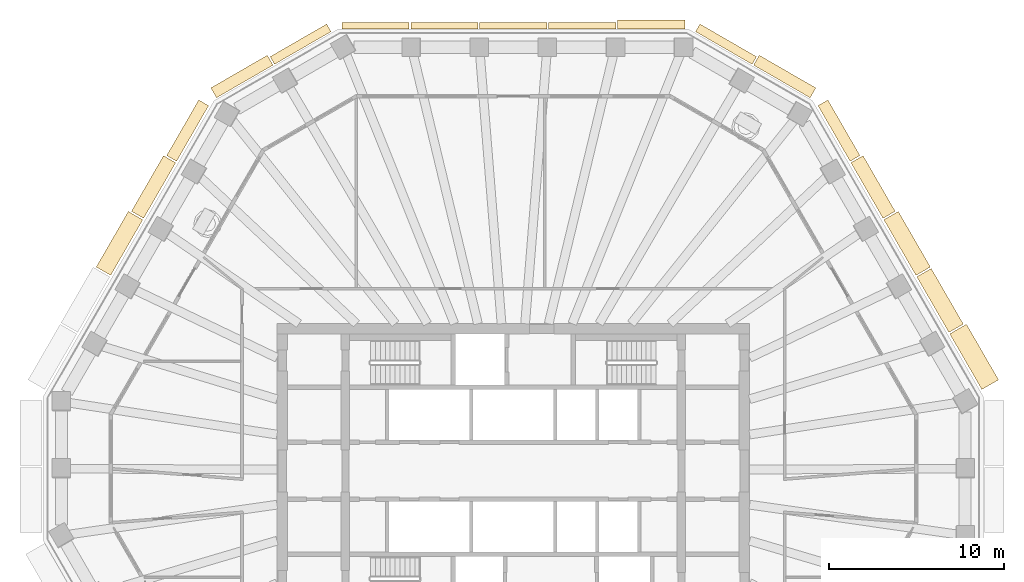
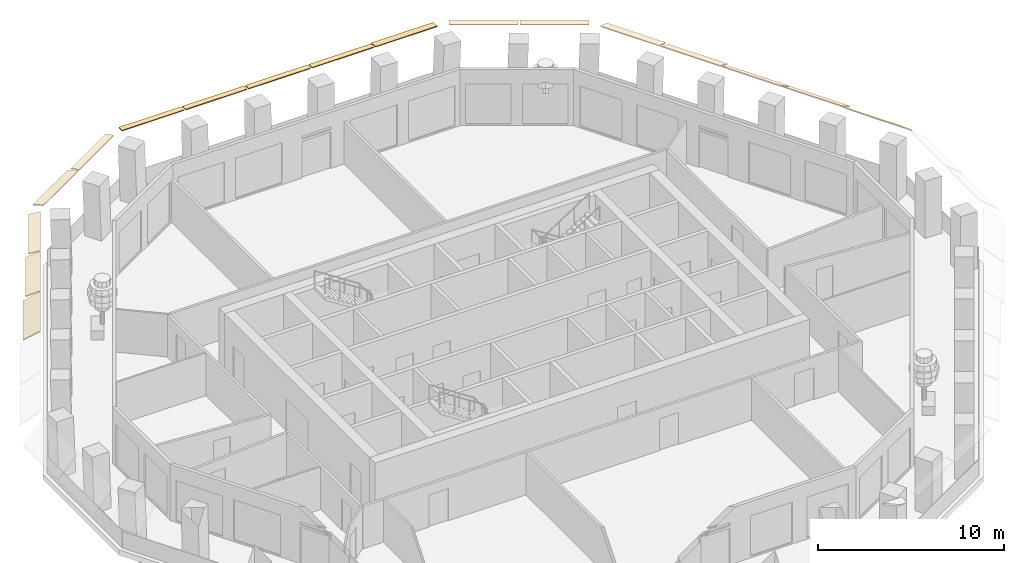
# One storey, part 10 of 12: 17 coverings.
"""IFC4 building model written with IfcOpenShell, lengths in metres."""

import ifcopenshell
import ifcopenshell.guid

model = None  # the IFC model being written
_history = None  # IfcOwnerHistory: only IFC2X3 demands one
_inside = {}  # id of a spatial element -> (the spatial element, [elements in it])
_under = {}  # id of a project, library or spatial element -> (it, [spatial elements below it])
_declared = {}  # id of a project -> (the project, [libraries it declares])
_typed = {}  # id of a type object -> (the type object, [elements of that type])
_made_of = {}  # id of a material, layer set ... -> (it, [elements and type objects made of it])


def new_model(schema):
    """Start an empty IFC model of exactly this schema.

    Asked for "IFC4X3", IfcOpenShell would pick the latest addendum, in which some entities
    have other attributes; the version numbers below select the first issue.
    IFC2X3 requires an IfcOwnerHistory on every rooted entity: one is made here for all.
    """
    global model, _history
    if schema == "IFC4X3":
        model = ifcopenshell.file(schema_version=(4, 3, 0, 0))
    else:
        model = ifcopenshell.file(schema=schema)
    _inside.clear()
    _under.clear()
    _declared.clear()
    _typed.clear()
    _made_of.clear()
    _history = None
    if model.schema == "IFC2X3":
        org = make("IfcOrganization", Name="unknown")
        user = make(
            "IfcPersonAndOrganization",
            ThePerson=make("IfcPerson", FamilyName="unknown"),
            TheOrganization=org,
        )
        app = make(
            "IfcApplication",
            ApplicationDeveloper=org,
            Version="unknown",
            ApplicationFullName="unknown",
            ApplicationIdentifier="unknown",
        )
        _history = make(
            "IfcOwnerHistory",
            OwningUser=user,
            OwningApplication=app,
            ChangeAction="ADDED",
            CreationDate=0,
        )
    return model


def make(cls, **values):
    """One entity of the class cls with the attributes given. An attribute that is None is left unset."""
    return model.create_entity(
        cls, **{name: value for name, value in values.items() if value is not None}
    )


def rooted(cls, **values):
    """An entity with a GlobalId (a new one), such as an element, a storey or a relation."""
    return make(cls, GlobalId=ifcopenshell.guid.new(), OwnerHistory=_history, **values)


def si_unit(unit_type, name, prefix=None):
    """IfcSIUnit, for example si_unit("LENGTHUNIT", "METRE", prefix="MILLI")."""
    return make("IfcSIUnit", UnitType=unit_type, Prefix=prefix, Name=name)


def assignment(units):
    """IfcUnitAssignment: the units of a project."""
    return None if units is None else make("IfcUnitAssignment", Units=units)


def point(xyz):
    """IfcCartesianPoint."""
    return None if xyz is None else make("IfcCartesianPoint", Coordinates=xyz)


def direction(xyz):
    """IfcDirection."""
    return None if xyz is None else make("IfcDirection", DirectionRatios=xyz)


def frame(location, z_axis=None, x_axis=None):
    """IfcAxis2Placement3D, a coordinate frame: its origin and axes. An axis left out is left unset."""
    return make(
        "IfcAxis2Placement3D",
        Location=point(location),
        Axis=direction(z_axis),
        RefDirection=direction(x_axis),
    )


def origin():
    """The frame at (0, 0, 0) with its axes left unset."""
    return frame((0.0, 0.0, 0.0))


def place(relative_to, where):
    """IfcLocalPlacement: puts the frame where relative to a parent placement (None: the world)."""
    return make(
        "IfcLocalPlacement", PlacementRelTo=relative_to, RelativePlacement=where
    )


def context(
    kind, dimensions, precision=None, world=None, true_north=None, identifier=None
):
    """IfcGeometricRepresentationContext, for example the 3D "Model" context."""
    return make(
        "IfcGeometricRepresentationContext",
        ContextIdentifier=identifier,
        ContextType=kind,
        CoordinateSpaceDimension=dimensions,
        Precision=precision,
        WorldCoordinateSystem=world,
        TrueNorth=true_north,
    )


def subcontext(parent, identifier, kind, view, scale=None):
    """IfcGeometricRepresentationSubContext, for example "Body" below "Model"."""
    return make(
        "IfcGeometricRepresentationSubContext",
        ContextIdentifier=identifier,
        ContextType=kind,
        ParentContext=parent,
        TargetScale=scale,
        TargetView=view,
    )


def project(units=None, contexts=None):
    """IfcProject with its units and contexts."""
    return rooted(
        "IfcProject",
        Name="project",
        RepresentationContexts=contexts,
        UnitsInContext=assignment(units),
    )


def spatial(cls, under=None, at=None, **own):
    """A site, building, storey or space (cls), placed at a placement, below another one or the project."""
    s = rooted(cls, ObjectPlacement=at, **own)
    if under is not None:
        _under.setdefault(under.id(), (under, []))[1].append(s)
    return s


def polyline(points):
    """IfcPolyline through the points."""
    return make("IfcPolyline", Points=[point(p) for p in points])


def outline(outer, holes=None, kind="AREA"):
    """IfcArbitraryClosedProfileDef: a profile drawn as a closed curve; with holes, ...WithVoids."""
    if holes is None:
        return make("IfcArbitraryClosedProfileDef", ProfileType=kind, OuterCurve=outer)
    return make(
        "IfcArbitraryProfileDefWithVoids",
        ProfileType=kind,
        OuterCurve=outer,
        InnerCurves=holes,
    )


def extrude(swept, where, along, depth):
    """IfcExtrudedAreaSolid: the profile swept, set in the frame where, extruded along a direction by depth."""
    return make(
        "IfcExtrudedAreaSolid",
        SweptArea=swept,
        Position=where,
        ExtrudedDirection=direction(along),
        Depth=depth,
    )


def shape(context_of_items, identifier, shape_type, items):
    """IfcShapeRepresentation: the items that make up one representation, for example the "Body"."""
    return make(
        "IfcShapeRepresentation",
        ContextOfItems=context_of_items,
        RepresentationIdentifier=identifier,
        RepresentationType=shape_type,
        Items=items,
    )


def material(Name=None, Category=None):
    """IfcMaterial."""
    return make("IfcMaterial", Name=Name, Category=Category)


def layer(
    of_material, thickness, ventilated=None, Name=None, Category=None, Priority=None
):
    """IfcMaterialLayer: one layer of a wall or slab, of a material (None: an air gap)."""
    return make(
        "IfcMaterialLayer",
        Material=of_material,
        LayerThickness=thickness,
        IsVentilated=ventilated,
        Name=Name,
        Category=Category,
        Priority=Priority,
    )


def layer_set(layers, Name=None):
    """IfcMaterialLayerSet."""
    return make("IfcMaterialLayerSet", MaterialLayers=layers, LayerSetName=Name)


def made_of(thing, what):
    """Note that an element or type object is made of a material, layer set ...; save() writes the relation."""
    if what is not None:
        _made_of.setdefault(what.id(), (what, []))[1].append(thing)
    return thing


def type_object(cls, material=None, **own):
    """A type object (cls), such as IfcWallType, which elements share."""
    return made_of(rooted(cls, **own), material)


def element(
    cls,
    number,
    at=None,
    inside=None,
    cuts=None,
    type_object=None,
    material=None,
    context=None,
    identifier="Body",
    shape_type=None,
    held_by="IfcProductDefinitionShape",
    body=None,
    shapes=None,
    **own,
):
    """One element of the class cls, such as IfcWall. Its Tag is "e" and its number.

    at: its placement. inside: the storey or other place that contains it. cuts: it is an
    opening in that element (IfcRelVoidsElement). A single representation is given by context,
    identifier, shape_type and body (its items); several are given by shapes. held_by: the class
    of the entity that holds the representations. save() writes the other relations.
    """
    e = rooted(cls, Tag="e%d" % number, ObjectPlacement=at, **own)
    if body is not None:
        shapes = [shape(context, identifier, shape_type, body)]
    if shapes is not None:
        e.Representation = make(held_by, Representations=shapes)
    if inside is not None:
        _inside.setdefault(inside.id(), (inside, []))[1].append(e)
    if cuts is not None:
        rooted(
            "IfcRelVoidsElement", RelatingBuildingElement=cuts, RelatedOpeningElement=e
        )
    if type_object is not None:
        _typed.setdefault(type_object.id(), (type_object, []))[1].append(e)
    return made_of(e, material)


def aggregate(whole, parts):
    """IfcRelAggregates: a whole, such as a stair, and the parts it consists of."""
    return rooted("IfcRelAggregates", RelatingObject=whole, RelatedObjects=parts)


def save(model, path):
    """Write the relations noted so far, then the file.

    IfcRelAggregates (storeys below a building ...), IfcRelContainedInSpatialStructure (elements
    in a storey), IfcRelDefinesByType, IfcRelAssociatesMaterial and IfcRelDeclares: one each for
    every whole, place, type object, material and project.
    """
    for whole, parts in _under.values():
        aggregate(whole, parts)
    for where, things in _inside.values():
        rooted(
            "IfcRelContainedInSpatialStructure",
            RelatedElements=things,
            RelatingStructure=where,
        )
    for kind, things in _typed.values():
        rooted("IfcRelDefinesByType", RelatedObjects=things, RelatingType=kind)
    for what, things in _made_of.values():
        rooted("IfcRelAssociatesMaterial", RelatedObjects=things, RelatingMaterial=what)
    for by, libraries in _declared.values():
        rooted("IfcRelDeclares", RelatingContext=by, RelatedDefinitions=libraries)
    model.write(path)


model = new_model("IFC4")

# Units and contexts
model_context = context("Model", 3, precision=1e-05, world=origin(), true_north=direction((0.0, 1.0)))
body_context = subcontext(model_context, "Body", "Model", "MODEL_VIEW")
ifc_project = project(units=[si_unit("LENGTHUNIT", "METRE"), si_unit("AREAUNIT", "SQUARE_METRE"), si_unit("VOLUMEUNIT", "CUBIC_METRE"), si_unit("PLANEANGLEUNIT", "RADIAN"), si_unit("MASSUNIT", "GRAM", prefix="KILO")], contexts=[model_context])

# Site, building, storey
site_placement = place(None, origin())
site = spatial("IfcSite", under=ifc_project, at=site_placement, CompositionType="ELEMENT")
building_placement = place(site_placement, origin())
building = spatial("IfcBuilding", under=site, at=building_placement, Name="Frailejon Research Tower", CompositionType="ELEMENT")
storey_placement = place(building_placement, frame((0.0, 0.0, 215.39990234375)))
storey = spatial("IfcBuildingStorey", under=building, at=storey_placement, Name="L46", CompositionType="ELEMENT", Elevation=215.39990234375)

# Coverings
ifc_material_1 = material(Name="Precast concrete C50/60", Category="concrete")
ifc_layer_1 = layer(ifc_material_1, 0.06005859375)
ifc_layer_set_1 = layer_set([ifc_layer_1], Name="Brim blade depth 1100")
covering_type_1 = type_object("IfcCoveringType", Name="Brim blade depth 1100", PredefinedType="CLADDING", material=ifc_layer_set_1)
covering_1_placement = place(storey_placement, frame((24.93212890625, 7.81884765625, 3.85009765625), z_axis=(0.499991576892, -0.866030266813, 0.0), x_axis=(0.866030266813, 0.499991576892, 0.0)))
element("IfcCovering", 1, at=covering_1_placement, inside=storey, type_object=covering_type_1, Name="Brim blade L46", PredefinedType="CLADDING", context=body_context, shape_type="SweptSolid", body=[
    extrude(outline(polyline([(0.0, -0.078369140625), (1.10009765625, -1.001220703125), (1.10009765625, -0.923095703125), (0.0, 0.0), (0.0, -0.078369140625)])), origin(), (0.0, 0.0, 1.0), 3.663330078125),
])
ifc_material_2 = material(Name="Precast concrete C50/60", Category="concrete")
ifc_layer_2 = layer(ifc_material_2, 0.06005859375)
ifc_layer_set_2 = layer_set([ifc_layer_2], Name="Brim blade depth 350")
covering_type_2 = type_object("IfcCoveringType", Name="Brim blade depth 350", PredefinedType="CLADDING", material=ifc_layer_set_2)
for number, where, z_axis, x_axis, name in (
    (2, (2.018798828125, 25.25, 3.85009765625), (1.0, 0.0, 0.0), (0.0, 1.0, 0.0), "Brim blade L46"),
    (3, (-1.918701171875, 25.25, 3.85009765625), (1.0, 0.0, 0.0), (0.0, 1.0, 0.0), "Brim blade L46"),
    (4, (-5.856201171875, 25.25, 3.85009765625), (1.0, 0.0, 0.0), (0.0, 1.0, 0.0), "Brim blade L46"),
    (5, (-9.79345703125, 25.25, 3.85009765625), (1.0, 0.0, 0.0), (0.0, 1.0, 0.0), "Brim blade L46"),
):
    element("IfcCovering", number, at=place(storey_placement, frame(where, z_axis=z_axis, x_axis=x_axis)), inside=storey, type_object=covering_type_2, Name=name, PredefinedType="CLADDING", context=body_context, shape_type="SweptSolid", body=[
        extrude(outline(polyline([(0.0, -0.06005859375), (0.35009765625, -0.06005859375), (0.35009765625, 0.0), (0.0, 0.0), (0.0, -0.06005859375)])), origin(), (0.0, 0.0, 1.0), 3.83740234375),
    ])
ifc_material_3 = material(Name="Precast concrete C50/60", Category="concrete")
ifc_layer_3 = layer(ifc_material_3, 0.06005859375)
ifc_layer_set_3 = layer_set([ifc_layer_3], Name="Brim blade depth 500")
covering_type_3 = type_object("IfcCoveringType", Name="Brim blade depth 500", PredefinedType="CLADDING", material=ifc_layer_set_3)
covering_2_placement = place(storey_placement, frame((10.411865234375, 25.084228515625, 3.85009765625), z_axis=(0.866018477835, -0.500011995905, 0.0), x_axis=(0.500011995905, 0.866018477835, 0.0)))
element("IfcCovering", 6, at=covering_2_placement, inside=storey, type_object=covering_type_3, Name="Brim blade L46", PredefinedType="CLADDING", context=body_context, shape_type="SweptSolid", body=[
    extrude(outline(polyline([(0.0, -0.060546875), (0.5, -0.130859375), (0.5, -0.0703125), (0.0, 0.0), (0.0, -0.060546875)])), origin(), (0.0, 0.0, 1.0), 3.726806640625),
])
covering_3_placement = place(storey_placement, frame((5.9560546875, 25.25, 3.85009765625), z_axis=(1.0, 0.0, 0.0), x_axis=(0.0, 1.0, 0.0)))
element("IfcCovering", 7, at=covering_3_placement, inside=storey, type_object=covering_type_3, Name="Brim blade L46", PredefinedType="CLADDING", context=body_context, shape_type="SweptSolid", body=[
    extrude(outline(polyline([(0.0, -0.060546875), (0.5, -0.130859375), (0.5, -0.0703125), (0.0, 0.0), (0.0, -0.060546875)])), origin(), (0.0, 0.0, 1.0), 3.83740234375),
])
covering_4_placement = place(storey_placement, frame((-13.63916015625, 23.220947265625, 3.85009765625), z_axis=(0.866018477835, 0.500011995905, 0.0), x_axis=(-0.500011995905, 0.866018477835, 0.0)))
element("IfcCovering", 8, at=covering_4_placement, inside=storey, type_object=covering_type_3, Name="Brim blade L46", PredefinedType="CLADDING", context=body_context, shape_type="SweptSolid", body=[
    extrude(outline(polyline([(0.0, -0.060546875), (0.5, -0.130859375), (0.5, -0.0703125), (0.0, 0.0), (0.0, -0.060546875)])), origin(), (0.0, 0.0, 1.0), 3.726806640625),
])
ifc_material_4 = material(Name="Precast concrete C50/60", Category="concrete")
ifc_layer_4 = layer(ifc_material_4, 0.06005859375)
ifc_layer_set_4 = layer_set([ifc_layer_4], Name="Brim blade depth 650")
covering_type_4 = type_object("IfcCoveringType", Name="Brim blade depth 650", PredefinedType="CLADDING", material=ifc_layer_set_4)
covering_5_placement = place(storey_placement, frame((17.40576171875, 20.85498046875, 3.85009765625), z_axis=(0.499991576892, -0.866030266813, 0.0), x_axis=(0.866030266813, 0.499991576892, 0.0)))
element("IfcCovering", 9, at=covering_5_placement, inside=storey, type_object=covering_type_4, Name="Brim blade L46", PredefinedType="CLADDING", context=body_context, shape_type="SweptSolid", body=[
    extrude(outline(polyline([(0.0, -0.0625), (0.64990234375, -0.248779296875), (0.64990234375, -0.186279296875), (0.0, 0.0), (0.0, -0.0625)])), origin(), (0.0, 0.0, 1.0), 3.663330078125),
])
for number, where, z_axis, x_axis, name in (
    (10, (13.725830078125, 23.1708984375, 3.85009765625), (0.866029793251, -0.499992397145, 0.0), (0.499992397145, 0.866029793251, 0.0), "Brim blade L46"),
    (11, (-16.953125, 21.3076171875, 3.85009765625), (0.866029793251, 0.499992397145, 0.0), (-0.499992397145, 0.866029793251, 0.0), "Brim blade L46"),
):
    element("IfcCovering", number, at=place(storey_placement, frame(where, z_axis=z_axis, x_axis=x_axis)), inside=storey, type_object=covering_type_4, Name=name, PredefinedType="CLADDING", context=body_context, shape_type="SweptSolid", body=[
        extrude(outline(polyline([(0.0, -0.0625), (0.64990234375, -0.248779296875), (0.64990234375, -0.186279296875), (0.0, 0.0), (0.0, -0.0625)])), origin(), (0.0, 0.0, 1.0), 3.726806640625),
    ])
covering_6_placement = place(storey_placement, frame((-19.2373046875, 17.6826171875, 3.85009765625), z_axis=(0.499991576892, 0.866030266813, 0.0), x_axis=(-0.866030266813, 0.499991576892, 0.0)))
element("IfcCovering", 12, at=covering_6_placement, inside=storey, type_object=covering_type_4, Name="Brim blade L46", PredefinedType="CLADDING", context=body_context, shape_type="SweptSolid", body=[
    extrude(outline(polyline([(0.0, -0.0625), (0.64990234375, -0.248779296875), (0.64990234375, -0.186279296875), (0.0, 0.0), (0.0, -0.0625)])), origin(), (0.0, 0.0, 1.0), 3.663330078125),
])
ifc_material_5 = material(Name="Precast concrete C50/60", Category="concrete")
ifc_layer_5 = layer(ifc_material_5, 0.06005859375)
ifc_layer_set_5 = layer_set([ifc_layer_5], Name="Brim blade depth 800")
covering_type_5 = type_object("IfcCoveringType", Name="Brim blade depth 800", PredefinedType="CLADDING", material=ifc_layer_set_5)
for number, where, z_axis, x_axis, name in (
    (13, (19.287353515625, 17.595947265625, 3.85009765625), (0.500003084099, -0.866023623172, 0.0), (0.866023623172, 0.500003084099, 0.0), "Brim blade L46"),
    (14, (-21.118896484375, 14.423583984375, 3.85009765625), (0.500003084099, 0.866023623172, 0.0), (-0.866023623172, 0.500003084099, 0.0), "Brim blade L46"),
):
    element("IfcCovering", number, at=place(storey_placement, frame(where, z_axis=z_axis, x_axis=x_axis)), inside=storey, type_object=covering_type_5, Name=name, PredefinedType="CLADDING", context=body_context, shape_type="SweptSolid", body=[
        extrude(outline(polyline([(0.0, -0.065673828125), (0.800048828125, -0.421875), (0.800048828125, -0.356201171875), (0.0, 0.0), (0.0, -0.065673828125)])), origin(), (0.0, 0.0, 1.0), 3.6630859375),
    ])
ifc_material_6 = material(Name="Precast concrete C50/60", Category="concrete")
ifc_layer_6 = layer(ifc_material_6, 0.06005859375)
ifc_layer_set_6 = layer_set([ifc_layer_6], Name="Brim blade depth 950")
covering_type_6 = type_object("IfcCoveringType", Name="Brim blade depth 950", PredefinedType="CLADDING", material=ifc_layer_set_6)
for number, where, z_axis, x_axis, name in (
    (15, (23.050537109375, 11.077880859375, 3.85009765625), (0.500003084099, -0.866023623172, 0.0), (0.866023623172, 0.500003084099, 0.0), "Brim blade L46"),
    (16, (21.1689453125, 14.3369140625, 3.85009765625), (0.500003084099, -0.866023623172, 0.0), (0.866023623172, 0.500003084099, 0.0), "Brim blade L46"),
    (17, (-23.00048828125, 11.16455078125, 3.85009765625), (0.500003084099, 0.866023623172, 0.0), (-0.866023623172, 0.500003084099, 0.0), "Brim blade L46"),
):
    element("IfcCovering", number, at=place(storey_placement, frame(where, z_axis=z_axis, x_axis=x_axis)), inside=storey, type_object=covering_type_6, Name=name, PredefinedType="CLADDING", context=body_context, shape_type="SweptSolid", body=[
        extrude(outline(polyline([(0.0, -0.07080078125), (0.949951171875, -0.664306640625), (0.949951171875, -0.593505859375), (0.0, 0.0), (0.0, -0.07080078125)])), origin(), (0.0, 0.0, 1.0), 3.6630859375),
    ])

save(model, "model.ifc")
